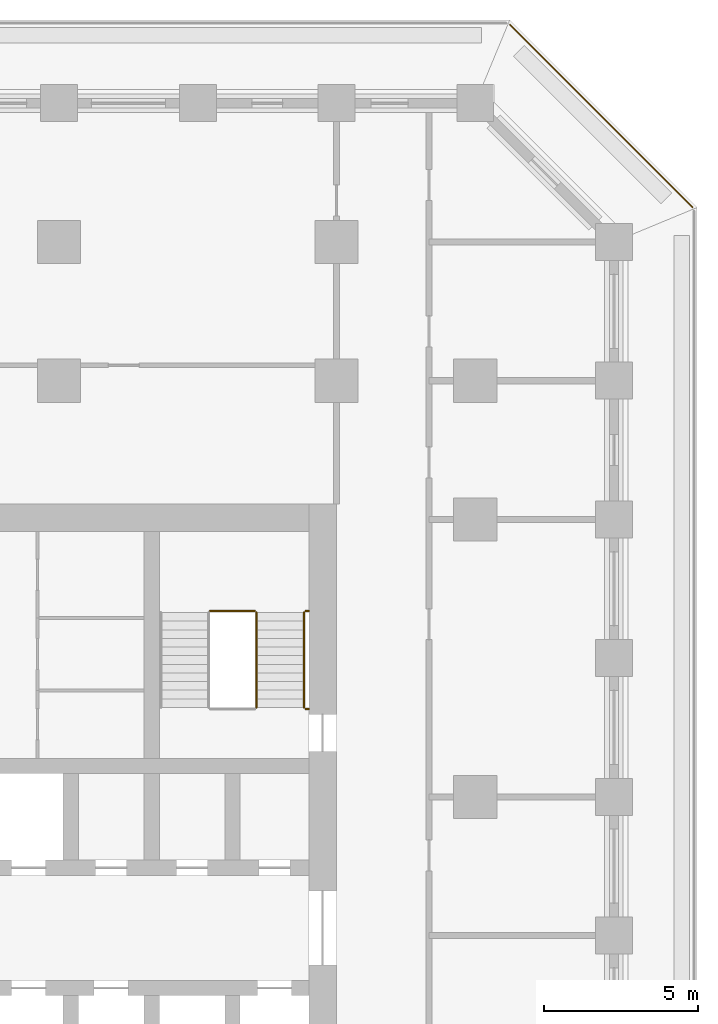
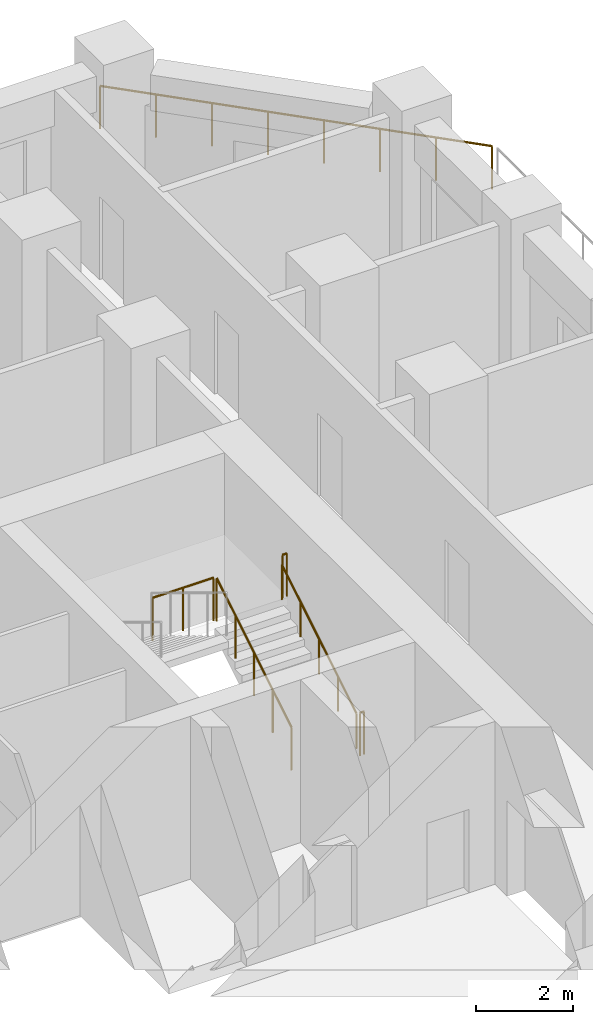
# One storey, part 16 of 17: 6 railings.
"""IFC4 building model written with IfcOpenShell, lengths in metres."""

from ifc_helpers import new_model, si_unit, direction, frame, origin, origin_2d, place, context, subcontext, project, spatial, circle, extrude, material, type_object, element, save


model = new_model("IFC4")

# Units and contexts
model_context = context("Model", 3, precision=1e-05, world=origin(), true_north=direction((0.0, 1.0)))
body_context = subcontext(model_context, "Body", "Model", "MODEL_VIEW")
ifc_project = project(units=[si_unit("LENGTHUNIT", "METRE"), si_unit("AREAUNIT", "SQUARE_METRE"), si_unit("VOLUMEUNIT", "CUBIC_METRE"), si_unit("PLANEANGLEUNIT", "RADIAN"), si_unit("MASSUNIT", "GRAM", prefix="KILO")], contexts=[model_context])

# Site, building, storey
site_placement = place(None, origin())
site = spatial("IfcSite", under=ifc_project, at=site_placement, CompositionType="ELEMENT")
building_placement = place(site_placement, origin())
building = spatial("IfcBuilding", under=site, at=building_placement, Name="Corbel Stack Research Tower", CompositionType="ELEMENT")
storey_placement = place(building_placement, frame((0.0, 0.0, 129.0)))
storey = spatial("IfcBuildingStorey", under=building, at=storey_placement, Name="L29", CompositionType="ELEMENT", Elevation=129.0)

# Railings
ifc_material_1 = material(Name="Steel S355", Category="steel")
railing_type_1 = type_object("IfcRailingType", Name="Stair guard 1100", PredefinedType="GUARDRAIL", material=ifc_material_1)
railing_1_placement = place(storey_placement, frame((15.39990234375, 11.89990234375, 0.1708984375)))
element("IfcRailing", 1, at=railing_1_placement, inside=storey, type_object=railing_type_1, Name="L29 ST-E2 stair guard 1", PredefinedType="GUARDRAIL", context=body_context, shape_type="SweptSolid", body=[
    extrude(circle(Radius=0.02392578125, at=origin_2d()), frame((0.0, 0.0, 1.076171875), z_axis=(0.0, 0.853666305674, 0.52082035152), x_axis=(-1.0, 0.0, 0.0)), (0.0, 0.0, 1.0), 3.608154296875),
    extrude(circle(Radius=0.02099609375, at=origin_2d()), origin(), (0.0, 0.0, 1.0), 1.052001953125),
    extrude(circle(Radius=0.02099609375, at=origin_2d()), frame((0.0, 0.77001953125, 0.4697265625)), (0.0, 0.0, 1.0), 1.052001953125),
    extrude(circle(Radius=0.02099609375, at=origin_2d()), frame((0.0, 1.5400390625, 0.939453125)), (0.0, 0.0, 1.0), 1.052001953125),
    extrude(circle(Radius=0.02099609375, at=origin_2d()), frame((0.0, 2.31005859375, 1.409423828125)), (0.0, 0.0, 1.0), 1.052001953125),
    extrude(circle(Radius=0.02099609375, at=origin_2d()), frame((0.0, 3.080078125, 1.879150390625)), (0.0, 0.0, 1.0), 1.052001953125),
])
railing_2_placement = place(storey_placement, frame((15.35009765625, 15.030029296875, 2.050048828125)))
element("IfcRailing", 2, at=railing_2_placement, inside=storey, type_object=railing_type_1, Name="L29 ST-E2 stair guard 2", PredefinedType="GUARDRAIL", context=body_context, shape_type="SweptSolid", body=[
    extrude(circle(Radius=0.02392578125, at=origin_2d()), frame((0.0, 0.0, 1.076171875), z_axis=(-1.0, 0.0, 0.0), x_axis=(0.0, -1.0, 0.0)), (0.0, 0.0, 1.0), 1.4501953125),
    extrude(circle(Radius=0.02099609375, at=origin_2d()), origin(), (0.0, 0.0, 1.0), 1.052001953125),
    extrude(circle(Radius=0.02099609375, at=origin_2d()), frame((-0.72509765625, 0.0, 0.0)), (0.0, 0.0, 1.0), 1.052001953125),
    extrude(circle(Radius=0.02099609375, at=origin_2d()), frame((-1.4501953125, 0.0, 0.0)), (0.0, 0.0, 1.0), 1.052001953125),
])
for number, where, name in (
    (3, (17.10009765625, 15.030029296875, 2.050048828125), "L29 ST-E2 stair guard 3"),
    (4, (17.10009765625, 11.85009765625, 0.0), "L29 ST-E2 stair guard 6"),
):
    element("IfcRailing", number, at=place(storey_placement, frame(where)), inside=storey, type_object=railing_type_1, Name=name, PredefinedType="GUARDRAIL", context=body_context, shape_type="SweptSolid", body=[
        extrude(circle(Radius=0.02392578125, at=origin_2d()), frame((0.0, 0.0, 1.076171875), z_axis=(-1.0, 0.0, 0.0), x_axis=(0.0, -1.0, 0.0)), (0.0, 0.0, 1.0), 0.10009765625),
        extrude(circle(Radius=0.02099609375, at=origin_2d()), origin(), (0.0, 0.0, 1.0), 1.052001953125),
        extrude(circle(Radius=0.02099609375, at=origin_2d()), frame((-0.10009765625, 0.0, 0.0)), (0.0, 0.0, 1.0), 1.052001953125),
    ])
ifc_material_2 = material(Name="Steel S355", Category="steel")
railing_type_2 = type_object("IfcRailingType", Name="Stair handrail 900", PredefinedType="HANDRAIL", material=ifc_material_2)
railing_3_placement = place(storey_placement, frame((16.949951171875, 11.89990234375, 0.1708984375)))
element("IfcRailing", 5, at=railing_3_placement, inside=storey, type_object=railing_type_2, Name="L29 ST-E2 stair handrail 1", PredefinedType="HANDRAIL", context=body_context, shape_type="SweptSolid", body=[
    extrude(circle(Radius=0.02392578125, at=origin_2d()), frame((0.0, 0.0, 0.8759765625), z_axis=(0.0, 0.853666305674, 0.52082035152), x_axis=(-1.0, 0.0, 0.0)), (0.0, 0.0, 1.0), 3.608154296875),
    extrude(circle(Radius=0.02099609375, at=origin_2d()), origin(), (0.0, 0.0, 1.0), 0.851806640625),
    extrude(circle(Radius=0.02099609375, at=origin_2d()), frame((0.0, 0.77001953125, 0.4697265625)), (0.0, 0.0, 1.0), 0.851806640625),
    extrude(circle(Radius=0.02099609375, at=origin_2d()), frame((0.0, 1.5400390625, 0.939453125)), (0.0, 0.0, 1.0), 0.851806640625),
    extrude(circle(Radius=0.02099609375, at=origin_2d()), frame((0.0, 2.31005859375, 1.409423828125)), (0.0, 0.0, 1.0), 0.851806640625),
    extrude(circle(Radius=0.02099609375, at=origin_2d()), frame((0.0, 3.080078125, 1.879150390625)), (0.0, 0.0, 1.0), 0.851806640625),
])
ifc_material_3 = material(Name="Powder-coated steel guard", Category="steel")
railing_type_3 = type_object("IfcRailingType", Name="Steel and glass guard 1100", PredefinedType="GUARDRAIL", material=ifc_material_3)
railing_4_placement = place(storey_placement, frame((29.54931640625, 28.127685546875, 0.0)))
element("IfcRailing", 6, at=railing_4_placement, inside=storey, type_object=railing_type_3, Name="Loggia guard L29 NE", PredefinedType="GUARDRAIL", context=body_context, shape_type="SweptSolid", body=[
    extrude(circle(Radius=0.02392578125, at=origin_2d()), frame((0.0, 0.0, 1.076171875), z_axis=(-0.707106781187, 0.707106781187, 0.0), x_axis=(-0.707106781187, -0.707106781187, 0.0)), (0.0, 0.0, 1.0), 8.37451171875),
    extrude(circle(Radius=0.02099609375, at=origin_2d()), origin(), (0.0, 0.0, 1.0), 1.052001953125),
    extrude(circle(Radius=0.02099609375, at=origin_2d()), frame((-0.845947265625, 0.845947265625, 0.0)), (0.0, 0.0, 1.0), 1.052001953125),
    extrude(circle(Radius=0.02099609375, at=origin_2d()), frame((-1.69189453125, 1.69189453125, 0.0)), (0.0, 0.0, 1.0), 1.052001953125),
    extrude(circle(Radius=0.02099609375, at=origin_2d()), frame((-2.537841796875, 2.537841796875, 0.0)), (0.0, 0.0, 1.0), 1.052001953125),
    extrude(circle(Radius=0.02099609375, at=origin_2d()), frame((-3.3837890625, 3.3837890625, 0.0)), (0.0, 0.0, 1.0), 1.052001953125),
    extrude(circle(Radius=0.02099609375, at=origin_2d()), frame((-4.229736328125, 4.229736328125, 0.0)), (0.0, 0.0, 1.0), 1.052001953125),
    extrude(circle(Radius=0.02099609375, at=origin_2d()), frame((-5.07568359375, 5.07568359375, 0.0)), (0.0, 0.0, 1.0), 1.052001953125),
    extrude(circle(Radius=0.02099609375, at=origin_2d()), frame((-5.921630859375, 5.921630859375, 0.0)), (0.0, 0.0, 1.0), 1.052001953125),
])

save(model, "model.ifc")
